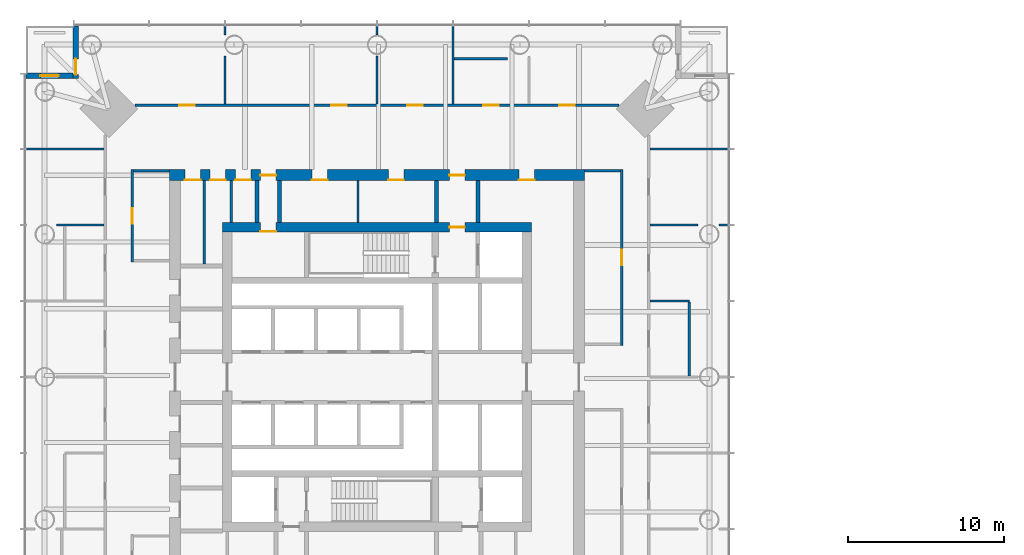
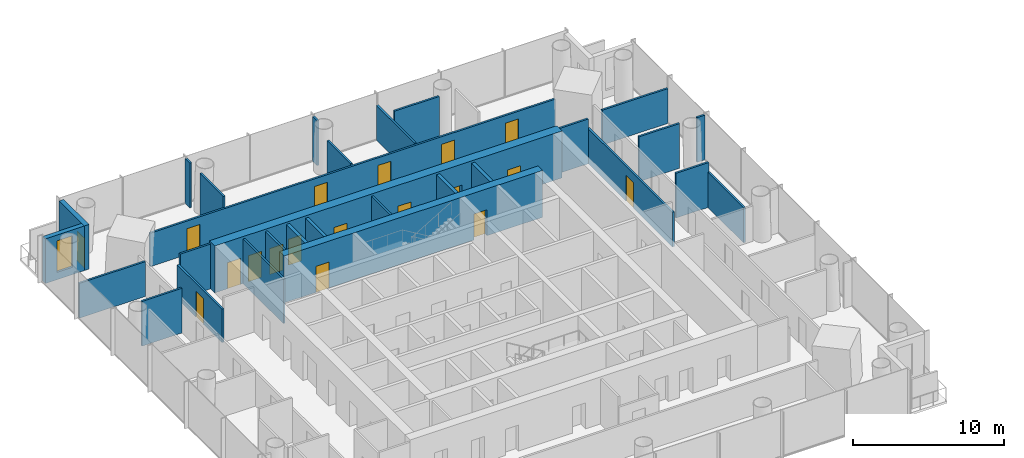
# One storey, part 11 of 18: 29 walls, 18 doors, 1 window, 19 openings.
"""IFC4 building model written with IfcOpenShell, lengths in metres."""

from ifc_helpers import new_model, si_unit, direction, frame, frame_2d, origin, place, context, subcontext, project, spatial, rectangle, extrude, material, layer, layer_set, type_object, element, fill, save


model = new_model("IFC4")

# Units and contexts
model_context = context("Model", 3, precision=1e-05, world=origin(), true_north=direction((0.0, 1.0)))
body_context = subcontext(model_context, "Body", "Model", "MODEL_VIEW")
ifc_project = project(units=[si_unit("LENGTHUNIT", "METRE"), si_unit("AREAUNIT", "SQUARE_METRE"), si_unit("VOLUMEUNIT", "CUBIC_METRE"), si_unit("PLANEANGLEUNIT", "RADIAN"), si_unit("MASSUNIT", "GRAM", prefix="KILO")], contexts=[model_context])

# Site, building, storey
site_placement = place(None, origin())
site = spatial("IfcSite", under=ifc_project, at=site_placement, CompositionType="ELEMENT")
building_placement = place(site_placement, origin())
building = spatial("IfcBuilding", under=site, at=building_placement, Name="Ostroluk Exchange", CompositionType="ELEMENT")
storey_placement = place(building_placement, frame((0.0, 0.0, 104.60009765625)))
storey = spatial("IfcBuildingStorey", under=building, at=storey_placement, Name="L26", CompositionType="ELEMENT", Elevation=104.60009765625)

# Walls
ifc_material_1 = material(Name="Concrete blockwork", Category="masonry")
ifc_layer_1 = layer(ifc_material_1, 0.14990234375)
ifc_layer_set_1 = layer_set([ifc_layer_1], Name="Blockwork plant room wall 150")
wall_type_1 = type_object("IfcWallType", Name="Blockwork plant room wall 150", PredefinedType="SOLIDWALL", material=ifc_layer_set_1)
wall_1_placement = place(storey_placement, frame((33.927978515625, 53.25, 0.0), z_axis=(0.0, 0.0, 1.0), x_axis=(0.0, 1.0, 0.0)))
element("IfcWall", 1, at=wall_1_placement, inside=storey, type_object=wall_type_1, Name="Core room wall", PredefinedType="SOLIDWALL", context=body_context, shape_type="SweptSolid", body=[
    extrude(rectangle(XDim=5.35009765625, YDim=0.14990234375, at=frame_2d((2.675048828125, 0.0))), origin(), (0.0, 0.0, 1.0), 3.619873046875),
])
for number, where, z_axis, x_axis, name in (
    (2, (35.64697265625, 55.89990234375, 0.0), (0.0, 0.0, 1.0), (0.0, 1.0, 0.0), "Core room wall"),
    (3, (43.777587890625, 55.89990234375, 0.0), (0.0, 0.0, 1.0), (0.0, 1.0, 0.0), "Core room wall"),
):
    element("IfcWall", number, at=place(storey_placement, frame(where, z_axis=z_axis, x_axis=x_axis)), inside=storey, type_object=wall_type_1, Name=name, PredefinedType="SOLIDWALL", context=body_context, shape_type="SweptSolid", body=[
        extrude(rectangle(XDim=2.7001953125, YDim=0.14990234375, at=frame_2d((1.35009765625, 0.0))), origin(), (0.0, 0.0, 1.0), 3.619873046875),
    ])
ifc_material_2 = material(Name="Concrete blockwork", Category="masonry")
ifc_layer_2 = layer(ifc_material_2, 0.25)
ifc_layer_set_2 = layer_set([ifc_layer_2], Name="Blockwork stair enclosure wall 250")
wall_type_2 = type_object("IfcWallType", Name="Blockwork stair enclosure wall 250", PredefinedType="SOLIDWALL", material=ifc_layer_set_2)
for number, where, z_axis, x_axis, name in (
    (4, (48.804931640625, 55.89990234375, 0.0), (0.0, 0.0, 1.0), (0.0, 1.0, 0.0), "Fire lobby enclosure wall"),
    (5, (51.47509765625, 55.89990234375, 0.0), (0.0, 0.0, 1.0), (0.0, 1.0, 0.0), "Fire lobby enclosure wall"),
    (6, (37.300048828125, 55.89990234375, 0.0), (0.0, 0.0, 1.0), (0.0, 1.0, 0.0), "Core corridor wall"),
    (7, (38.75, 55.89990234375, 0.0), (0.0, 0.0, 1.0), (0.0, 1.0, 0.0), "Core corridor wall"),
):
    element("IfcWall", number, at=place(storey_placement, frame(where, z_axis=z_axis, x_axis=x_axis)), inside=storey, type_object=wall_type_2, Name=name, PredefinedType="SOLIDWALL", context=body_context, shape_type="SweptSolid", body=[
        extrude(rectangle(XDim=2.7001953125, YDim=0.25, at=frame_2d((1.35009765625, 0.0))), origin(), (0.0, 0.0, 1.0), 3.619873046875),
    ])

# Wall, openings, doors
ifc_material_3 = material(Name="Concrete C50/60", Category="concrete")
ifc_layer_3 = layer(ifc_material_3, 0.60009765625)
ifc_layer_set_3 = layer_set([ifc_layer_3], Name="Core wall 600 C50/60")
wall_type_3 = type_object("IfcWallType", Name="Core wall 600 C50/60", PredefinedType="SHEAR", material=ifc_layer_set_3)
wall_2_placement = place(storey_placement, frame((35.10009765625, 55.60009765625, 0.0), z_axis=(0.0, 0.0, 1.0), x_axis=(1.0, 0.0, 0.0)))
wall_2 = element("IfcWall", 8, at=wall_2_placement, inside=storey, type_object=wall_type_3, Name="T1 core wall N", PredefinedType="SHEAR", context=body_context, shape_type="SweptSolid", body=[
    extrude(rectangle(XDim=19.7998046875, YDim=0.60009765625, at=frame_2d((9.89990234375, 0.0))), origin(), (0.0, 0.0, 1.0), 3.7998046875),
])
opening_1_placement = place(wall_2_placement, frame((14.5400390625, 0.0, 0.0)))
opening_1 = element("IfcOpeningElement", 9, at=opening_1_placement, cuts=wall_2, Name="Opening FD60", PredefinedType="OPENING", context=body_context, shape_type="SweptSolid", body=[
    extrude(rectangle(XDim=1.0, YDim=2.10009765625, at=frame_2d((0.5, 1.050048828125))), frame((0.0, 0.31005859375, 0.0), z_axis=(0.0, -1.0, 0.0), x_axis=(1.0, 0.0, 0.0)), (0.0, 0.0, 1.0), 0.6201171875),
])
opening_2_placement = place(wall_2_placement, frame((2.425048828125, 0.0, 0.0)))
opening_2 = element("IfcOpeningElement", 10, at=opening_2_placement, cuts=wall_2, Name="Opening FD60", PredefinedType="OPENING", context=body_context, shape_type="SweptSolid", body=[
    extrude(rectangle(XDim=1.0, YDim=2.10009765625, at=frame_2d((0.5, 1.050048828125))), frame((0.0, 0.31005859375, 0.0), z_axis=(0.0, -1.0, 0.0), x_axis=(1.0, 0.0, 0.0)), (0.0, 0.0, 1.0), 0.6201171875),
])
ifc_material_4 = material(Name="Steel", Category="steel")
door_type_1 = type_object("IfcDoorType", Name="Fire door EI 60 1000 x 2100", OperationType="SINGLE_SWING_LEFT", PredefinedType="DOOR", material=ifc_material_4)
door_1_placement = place(opening_1_placement, origin())
door_1 = element("IfcDoor", 11, at=door_1_placement, inside=storey, type_object=door_type_1, Name="Firefighting lobby door", OperationType="SINGLE_SWING_RIGHT", OverallHeight=2.10009765625, OverallWidth=1.0, PredefinedType="DOOR", context=body_context, shape_type="SweptSolid", body=[
    extrude(rectangle(XDim=1.0, YDim=2.10009765625, at=frame_2d((0.5, 1.050048828125))), frame((0.0, 0.02490234375, 0.0), z_axis=(0.0, -1.0, 0.0), x_axis=(1.0, 0.0, 0.0)), (0.0, 0.0, 1.0), 0.050048828125),
])
fill(opening_1, door_1)
door_2_placement = place(opening_2_placement, origin())
door_2 = element("IfcDoor", 12, at=door_2_placement, inside=storey, type_object=door_type_1, Name="Tea point door", OperationType="SINGLE_SWING_LEFT", OverallHeight=2.10009765625, OverallWidth=1.0, PredefinedType="DOOR", context=body_context, shape_type="SweptSolid", body=[
    extrude(rectangle(XDim=1.0, YDim=2.10009765625, at=frame_2d((0.5, 1.050048828125))), frame((0.0, -0.23974609375, 0.0), z_axis=(0.0, -1.0, 0.0), x_axis=(1.0, 0.0, 0.0)), (0.0, 0.0, 1.0), 0.050048828125),
])
fill(opening_2, door_2)

ifc_material_5 = material(Name="Concrete C50/60", Category="concrete")
ifc_layer_4 = layer(ifc_material_5, 0.699951171875)
ifc_layer_set_4 = layer_set([ifc_layer_4], Name="Core wall 700 C50/60")
wall_type_4 = type_object("IfcWallType", Name="Core wall 700 C50/60", PredefinedType="SHEAR", material=ifc_layer_set_4)
wall_3_placement = place(storey_placement, frame((31.699951171875, 58.949951171875, 0.0), z_axis=(0.0, 0.0, 1.0), x_axis=(1.0, 0.0, 0.0)))
wall_3 = element("IfcWall", 13, at=wall_3_placement, inside=storey, type_object=wall_type_4, Name="T1 core wall RN", PredefinedType="SHEAR", context=body_context, shape_type="SweptSolid", body=[
    extrude(rectangle(XDim=26.60009765625, YDim=0.699951171875, at=frame_2d((13.300048828125, 0.0))), origin(), (0.0, 0.0, 1.0), 3.7998046875),
])
opening_3_placement = place(wall_3_placement, frame((17.93994140625, 0.0, 0.0)))
opening_3 = element("IfcOpeningElement", 14, at=opening_3_placement, cuts=wall_3, Name="Opening FD60", PredefinedType="OPENING", context=body_context, shape_type="SweptSolid", body=[
    extrude(rectangle(XDim=1.0, YDim=2.10009765625, at=frame_2d((0.5, 1.050048828125))), frame((0.0, 0.35986328125, 0.0), z_axis=(0.0, -1.0, 0.0), x_axis=(1.0, 0.0, 0.0)), (0.0, 0.0, 1.0), 0.719970703125),
])
opening_4_placement = place(wall_3_placement, frame((5.824951171875, 0.0, 0.0)))
opening_4 = element("IfcOpeningElement", 15, at=opening_4_placement, cuts=wall_3, Name="Opening FD60", PredefinedType="OPENING", context=body_context, shape_type="SweptSolid", body=[
    extrude(rectangle(XDim=1.0, YDim=2.10009765625, at=frame_2d((0.5, 1.050048828125))), frame((0.0, 0.35986328125, 0.0), z_axis=(0.0, -1.0, 0.0), x_axis=(1.0, 0.0, 0.0)), (0.0, 0.0, 1.0), 0.719970703125),
])
opening_5_placement = place(wall_3_placement, frame((0.97802734375, 0.0, 0.0)))
opening_5 = element("IfcOpeningElement", 16, at=opening_5_placement, cuts=wall_3, Name="Opening FD60", PredefinedType="OPENING", context=body_context, shape_type="SweptSolid", body=[
    extrude(rectangle(XDim=1.0, YDim=2.10009765625, at=frame_2d((0.5, 1.050048828125))), frame((0.0, 0.35986328125, 0.0), z_axis=(0.0, -1.0, 0.0), x_axis=(1.0, 0.0, 0.0)), (0.0, 0.0, 1.0), 0.719970703125),
])
opening_6_placement = place(wall_3_placement, frame((2.58740234375, 0.0, 0.0)))
opening_6 = element("IfcOpeningElement", 17, at=opening_6_placement, cuts=wall_3, Name="Opening FD60", PredefinedType="OPENING", context=body_context, shape_type="SweptSolid", body=[
    extrude(rectangle(XDim=1.0, YDim=2.10009765625, at=frame_2d((0.5, 1.050048828125))), frame((0.0, 0.35986328125, 0.0), z_axis=(0.0, -1.0, 0.0), x_axis=(1.0, 0.0, 0.0)), (0.0, 0.0, 1.0), 0.719970703125),
])
opening_7_placement = place(wall_3_placement, frame((4.2109375, 0.0, 0.0)))
opening_7 = element("IfcOpeningElement", 18, at=opening_7_placement, cuts=wall_3, Name="Opening FD60", PredefinedType="OPENING", context=body_context, shape_type="SweptSolid", body=[
    extrude(rectangle(XDim=1.0, YDim=2.10009765625, at=frame_2d((0.5, 1.050048828125))), frame((0.0, 0.35986328125, 0.0), z_axis=(0.0, -1.0, 0.0), x_axis=(1.0, 0.0, 0.0)), (0.0, 0.0, 1.0), 0.719970703125),
])
opening_8_placement = place(wall_3_placement, frame((9.126220703125, 0.0, 0.0)))
opening_8 = element("IfcOpeningElement", 19, at=opening_8_placement, cuts=wall_3, Name="Opening FD60", PredefinedType="OPENING", context=body_context, shape_type="SweptSolid", body=[
    extrude(rectangle(XDim=1.0, YDim=2.10009765625, at=frame_2d((0.5, 1.050048828125))), frame((0.0, 0.35986328125, 0.0), z_axis=(0.0, -1.0, 0.0), x_axis=(1.0, 0.0, 0.0)), (0.0, 0.0, 1.0), 0.719970703125),
])
opening_9_placement = place(wall_3_placement, frame((14.02880859375, 0.0, 0.0)))
opening_9 = element("IfcOpeningElement", 20, at=opening_9_placement, cuts=wall_3, Name="Opening FD60", PredefinedType="OPENING", context=body_context, shape_type="SweptSolid", body=[
    extrude(rectangle(XDim=1.0, YDim=2.10009765625, at=frame_2d((0.5, 1.050048828125))), frame((0.0, 0.35986328125, 0.0), z_axis=(0.0, -1.0, 0.0), x_axis=(1.0, 0.0, 0.0)), (0.0, 0.0, 1.0), 0.719970703125),
])
opening_10_placement = place(wall_3_placement, frame((22.39990234375, 0.0, 0.0)))
opening_10 = element("IfcOpeningElement", 21, at=opening_10_placement, cuts=wall_3, Name="Opening FD60", PredefinedType="OPENING", context=body_context, shape_type="SweptSolid", body=[
    extrude(rectangle(XDim=1.0, YDim=2.10009765625, at=frame_2d((0.5, 1.050048828125))), frame((0.0, 0.35986328125, 0.0), z_axis=(0.0, -1.0, 0.0), x_axis=(1.0, 0.0, 0.0)), (0.0, 0.0, 1.0), 0.719970703125),
])
door_3_placement = place(opening_3_placement, origin())
door_3 = element("IfcDoor", 22, at=door_3_placement, inside=storey, type_object=door_type_1, Name="Firefighting lobby door", OperationType="SINGLE_SWING_RIGHT", OverallHeight=2.10009765625, OverallWidth=1.0, PredefinedType="DOOR", context=body_context, shape_type="SweptSolid", body=[
    extrude(rectangle(XDim=1.0, YDim=2.10009765625, at=frame_2d((0.5, 1.050048828125))), frame((0.0, 0.02490234375, 0.0), z_axis=(0.0, -1.0, 0.0), x_axis=(1.0, 0.0, 0.0)), (0.0, 0.0, 1.0), 0.050048828125),
])
fill(opening_3, door_3)
door_4_placement = place(opening_4_placement, origin())
door_4 = element("IfcDoor", 23, at=door_4_placement, inside=storey, type_object=door_type_1, Name="Core corridor door", OperationType="SINGLE_SWING_LEFT", OverallHeight=2.10009765625, OverallWidth=1.0, PredefinedType="DOOR", context=body_context, shape_type="SweptSolid", body=[
    extrude(rectangle(XDim=1.0, YDim=2.10009765625, at=frame_2d((0.5, 1.050048828125))), frame((0.0, 0.02490234375, 0.0), z_axis=(0.0, -1.0, 0.0), x_axis=(1.0, 0.0, 0.0)), (0.0, 0.0, 1.0), 0.050048828125),
])
fill(opening_4, door_4)
door_5_placement = place(opening_5_placement, origin())
door_5 = element("IfcDoor", 24, at=door_5_placement, inside=storey, type_object=door_type_1, Name="Tenant IT room door", OperationType="SINGLE_SWING_LEFT", OverallHeight=2.10009765625, OverallWidth=1.0, PredefinedType="DOOR", context=body_context, shape_type="SweptSolid", body=[
    extrude(rectangle(XDim=1.0, YDim=2.10009765625, at=frame_2d((0.5, 1.050048828125))), frame((0.0, -0.2900390625, 0.0), z_axis=(0.0, -1.0, 0.0), x_axis=(1.0, 0.0, 0.0)), (0.0, 0.0, 1.0), 0.050048828125),
])
fill(opening_5, door_5)
door_6_placement = place(opening_6_placement, origin())
door_6 = element("IfcDoor", 25, at=door_6_placement, inside=storey, type_object=door_type_1, Name="First aid room door", OperationType="SINGLE_SWING_LEFT", OverallHeight=2.10009765625, OverallWidth=1.0, PredefinedType="DOOR", context=body_context, shape_type="SweptSolid", body=[
    extrude(rectangle(XDim=1.0, YDim=2.10009765625, at=frame_2d((0.5, 1.050048828125))), frame((0.0, -0.2900390625, 0.0), z_axis=(0.0, -1.0, 0.0), x_axis=(1.0, 0.0, 0.0)), (0.0, 0.0, 1.0), 0.050048828125),
])
fill(opening_6, door_6)
door_7_placement = place(opening_7_placement, origin())
door_7 = element("IfcDoor", 26, at=door_7_placement, inside=storey, type_object=door_type_1, Name="Cleaner's store door", OperationType="SINGLE_SWING_LEFT", OverallHeight=2.10009765625, OverallWidth=1.0, PredefinedType="DOOR", context=body_context, shape_type="SweptSolid", body=[
    extrude(rectangle(XDim=1.0, YDim=2.10009765625, at=frame_2d((0.5, 1.050048828125))), frame((0.0, -0.2900390625, 0.0), z_axis=(0.0, -1.0, 0.0), x_axis=(1.0, 0.0, 0.0)), (0.0, 0.0, 1.0), 0.050048828125),
])
fill(opening_7, door_7)
door_8_placement = place(opening_8_placement, origin())
door_8 = element("IfcDoor", 27, at=door_8_placement, inside=storey, type_object=door_type_1, Name="Print and post room door", OperationType="SINGLE_SWING_LEFT", OverallHeight=2.10009765625, OverallWidth=1.0, PredefinedType="DOOR", context=body_context, shape_type="SweptSolid", body=[
    extrude(rectangle(XDim=1.0, YDim=2.10009765625, at=frame_2d((0.5, 1.050048828125))), frame((0.0, -0.2900390625, 0.0), z_axis=(0.0, -1.0, 0.0), x_axis=(1.0, 0.0, 0.0)), (0.0, 0.0, 1.0), 0.050048828125),
])
fill(opening_8, door_8)
door_9_placement = place(opening_9_placement, origin())
door_9 = element("IfcDoor", 28, at=door_9_placement, inside=storey, type_object=door_type_1, Name="Archive door", OperationType="SINGLE_SWING_RIGHT", OverallHeight=2.10009765625, OverallWidth=1.0, PredefinedType="DOOR", context=body_context, shape_type="SweptSolid", body=[
    extrude(rectangle(XDim=1.0, YDim=2.10009765625, at=frame_2d((0.5, 1.050048828125))), frame((0.0, -0.2900390625, 0.0), z_axis=(0.0, -1.0, 0.0), x_axis=(1.0, 0.0, 0.0)), (0.0, 0.0, 1.0), 0.050048828125),
])
fill(opening_9, door_9)
door_10_placement = place(opening_10_placement, origin())
door_10 = element("IfcDoor", 29, at=door_10_placement, inside=storey, type_object=door_type_1, Name="First aid room door", OperationType="SINGLE_SWING_RIGHT", OverallHeight=2.10009765625, OverallWidth=1.0, PredefinedType="DOOR", context=body_context, shape_type="SweptSolid", body=[
    extrude(rectangle(XDim=1.0, YDim=2.10009765625, at=frame_2d((0.5, 1.050048828125))), frame((0.0, -0.2900390625, 0.0), z_axis=(0.0, -1.0, 0.0), x_axis=(1.0, 0.0, 0.0)), (0.0, 0.0, 1.0), 0.050048828125),
])
fill(opening_10, door_10)

# Wall, opening, door
ifc_material_6 = material(Name="Limestone", Category="masonry")
ifc_layer_5 = layer(ifc_material_6, 0.35009765625)
ifc_layer_set_5 = layer_set([ifc_layer_5], Name="Limestone facade wall 350")
wall_type_5 = type_object("IfcWallType", Name="Limestone facade wall 350", PredefinedType="SOLIDWALL", material=ifc_layer_set_5)
wall_4_placement = place(storey_placement, frame((25.675048828125, 68.5, 0.0), z_axis=(0.0, 0.0, 1.0), x_axis=(0.0, -1.0, 0.0)))
wall_4 = element("IfcWall", 30, at=wall_4_placement, inside=storey, type_object=wall_type_5, Name="Office tower NW corner wall L26 a", PredefinedType="SOLIDWALL", context=body_context, shape_type="SweptSolid", body=[
    extrude(rectangle(XDim=3.35009765625, YDim=0.35009765625, at=frame_2d((1.675048828125, 0.0))), origin(), (0.0, 0.0, 1.0), 3.619873046875),
])
opening_11_placement = place(wall_4_placement, frame((2.10009765625, 0.0, 0.0)))
opening_11 = element("IfcOpeningElement", 31, at=opening_11_placement, cuts=wall_4, Name="Opening D-B1", PredefinedType="OPENING", context=body_context, shape_type="SweptSolid", body=[
    extrude(rectangle(XDim=1.0, YDim=2.39990234375, at=frame_2d((0.5, 1.199951171875))), frame((0.0, 0.18505859375, 0.0), z_axis=(0.0, -1.0, 0.0), x_axis=(1.0, 0.0, 0.0)), (0.0, 0.0, 1.0), 0.3701171875),
])
ifc_material_7 = material(Name="Bronze framed glazed door", Category="aluminium")
door_type_2 = type_object("IfcDoorType", Name="Balcony door 1000 x 2400", OperationType="SINGLE_SWING_LEFT", PredefinedType="DOOR", material=ifc_material_7)
door_11_placement = place(opening_11_placement, origin())
door_11 = element("IfcDoor", 32, at=door_11_placement, inside=storey, type_object=door_type_2, Name="Office tower NW balcony door L26", OperationType="SINGLE_SWING_RIGHT", OverallHeight=2.39990234375, OverallWidth=1.0, PredefinedType="DOOR", context=body_context, shape_type="SweptSolid", body=[
    extrude(rectangle(XDim=1.0, YDim=2.39990234375, at=frame_2d((0.5, 1.199951171875))), frame((0.0, 0.02490234375, 0.0), z_axis=(0.0, -1.0, 0.0), x_axis=(1.0, 0.0, 0.0)), (0.0, 0.0, 1.0), 0.050048828125),
])
fill(opening_11, door_11)

# Wall, opening, window
wall_5_placement = place(storey_placement, frame((25.5, 65.324951171875, 0.0), z_axis=(0.0, 0.0, 1.0), x_axis=(-1.0, 0.0, 0.0)))
wall_5 = element("IfcWall", 33, at=wall_5_placement, inside=storey, type_object=wall_type_5, Name="Office tower NW corner wall L26 b", PredefinedType="SOLIDWALL", context=body_context, shape_type="SweptSolid", body=[
    extrude(rectangle(XDim=3.0, YDim=0.35009765625, at=frame_2d((1.5, 0.0))), origin(), (0.0, 0.0, 1.0), 3.619873046875),
])
opening_12_placement = place(wall_5_placement, frame((0.89990234375, 0.0, 0.60009765625)))
opening_12 = element("IfcOpeningElement", 34, at=opening_12_placement, cuts=wall_5, Name="Opening WN-L1", PredefinedType="OPENING", context=body_context, shape_type="SweptSolid", body=[
    extrude(rectangle(XDim=1.199951171875, YDim=2.550048828125, at=frame_2d((0.60009765625, 1.27490234375))), frame((0.0, 0.18505859375, 0.0), z_axis=(0.0, -1.0, 0.0), x_axis=(1.0, 0.0, 0.0)), (0.0, 0.0, 1.0), 0.3701171875),
])
ifc_material_8 = material(Name="Laminated clear glass", Category="glass")
window_type = type_object("IfcWindowType", Name="Lancet window 1200 x 2550", PartitioningType="SINGLE_PANEL", PredefinedType="WINDOW", material=ifc_material_8)
window_placement = place(opening_12_placement, origin())
window = element("IfcWindow", 35, at=window_placement, inside=storey, type_object=window_type, Name="Office tower NW lancet window L26", OverallHeight=2.550048828125, OverallWidth=1.199951171875, PartitioningType="SINGLE_PANEL", PredefinedType="WINDOW", context=body_context, shape_type="SweptSolid", body=[
    extrude(rectangle(XDim=1.199951171875, YDim=2.550048828125, at=frame_2d((0.60009765625, 1.27490234375))), frame((0.0, 0.030029296875, 0.0), z_axis=(0.0, -1.0, 0.0), x_axis=(1.0, 0.0, 0.0)), (0.0, 0.0, 1.0), 0.06005859375),
])
fill(opening_12, window)

# Wall, opening, door
ifc_material_9 = material(Name="Gypsum plasterboard partition", Category="gypsum")
ifc_layer_6 = layer(ifc_material_9, 0.14990234375)
ifc_layer_set_6 = layer_set([ifc_layer_6], Name="Plasterboard partition 150")
wall_type_6 = type_object("IfcWallType", Name="Plasterboard partition 150", PredefinedType="PARTITIONING", material=ifc_layer_set_6)
wall_6_placement = place(storey_placement, frame((60.699951171875, 48.02490234375, 0.0), z_axis=(0.0, 0.0, 1.0), x_axis=(0.0, 1.0, 0.0)))
wall_6 = element("IfcWall", 36, at=wall_6_placement, inside=storey, type_object=wall_type_6, Name="Partition", PredefinedType="PARTITIONING", context=body_context, shape_type="SweptSolid", body=[
    extrude(rectangle(XDim=11.275146484375, YDim=0.14990234375, at=frame_2d((5.6376953125, 0.0))), origin(), (0.0, 0.0, 1.0), 2.805908203125),
])
opening_13_placement = place(wall_6_placement, frame((5.137451171875, 0.0, 0.0)))
opening_13 = element("IfcOpeningElement", 37, at=opening_13_placement, cuts=wall_6, Name="Opening D-03", PredefinedType="OPENING", context=body_context, shape_type="SweptSolid", body=[
    extrude(rectangle(XDim=1.0, YDim=2.10009765625, at=frame_2d((0.5, 1.050048828125))), frame((0.0, 0.0849609375, 0.0), z_axis=(0.0, -1.0, 0.0), x_axis=(1.0, 0.0, 0.0)), (0.0, 0.0, 1.0), 0.169921875),
])
ifc_material_10 = material(Name="Timber", Category="wood")
door_type_3 = type_object("IfcDoorType", Name="Internal door 1000 x 2100", OperationType="SINGLE_SWING_LEFT", PredefinedType="DOOR", material=ifc_material_10)
door_12_placement = place(opening_13_placement, origin())
door_12 = element("IfcDoor", 38, at=door_12_placement, inside=storey, type_object=door_type_3, Name="Staff room door", OperationType="SINGLE_SWING_RIGHT", OverallHeight=2.10009765625, OverallWidth=1.0, PredefinedType="DOOR", context=body_context, shape_type="SweptSolid", body=[
    extrude(rectangle(XDim=1.0, YDim=2.10009765625, at=frame_2d((0.5, 1.050048828125))), frame((0.0, 0.02490234375, 0.0), z_axis=(0.0, -1.0, 0.0), x_axis=(1.0, 0.0, 0.0)), (0.0, 0.0, 1.0), 0.050048828125),
])
fill(opening_13, door_12)

# Wall
wall_7_placement = place(storey_placement, frame((58.300048828125, 59.22509765625, 0.0), z_axis=(0.0, 0.0, 1.0), x_axis=(1.0, 0.0, 0.0)))
element("IfcWall", 39, at=wall_7_placement, inside=storey, type_object=wall_type_6, Name="Partition", PredefinedType="PARTITIONING", context=body_context, shape_type="SweptSolid", body=[
    extrude(rectangle(XDim=2.324951171875, YDim=0.14990234375, at=frame_2d((1.16259765625, 0.0))), origin(), (0.0, 0.0, 1.0), 3.619873046875),
])

# Wall, opening, door
wall_8_placement = place(storey_placement, frame((29.300048828125, 59.300048828125, 0.0), z_axis=(0.0, 0.0, 1.0), x_axis=(0.0, -1.0, 0.0)))
wall_8 = element("IfcWall", 40, at=wall_8_placement, inside=storey, type_object=wall_type_6, Name="Partition", PredefinedType="PARTITIONING", context=body_context, shape_type="SweptSolid", body=[
    extrude(rectangle(XDim=5.925048828125, YDim=0.14990234375, at=frame_2d((2.96240234375, 0.0))), origin(), (0.0, 0.0, 1.0), 2.719970703125),
])
opening_14_placement = place(wall_8_placement, frame((2.46240234375, 0.0, 0.0)))
opening_14 = element("IfcOpeningElement", 41, at=opening_14_placement, cuts=wall_8, Name="Opening D-03", PredefinedType="OPENING", context=body_context, shape_type="SweptSolid", body=[
    extrude(rectangle(XDim=1.0, YDim=2.10009765625, at=frame_2d((0.5, 1.050048828125))), frame((0.0, 0.0849609375, 0.0), z_axis=(0.0, -1.0, 0.0), x_axis=(1.0, 0.0, 0.0)), (0.0, 0.0, 1.0), 0.169921875),
])
door_13_placement = place(opening_14_placement, origin())
door_13 = element("IfcDoor", 42, at=door_13_placement, inside=storey, type_object=door_type_3, Name="Staff room door", OperationType="SINGLE_SWING_RIGHT", OverallHeight=2.10009765625, OverallWidth=1.0, PredefinedType="DOOR", context=body_context, shape_type="SweptSolid", body=[
    extrude(rectangle(XDim=1.0, YDim=2.10009765625, at=frame_2d((0.5, 1.050048828125))), frame((0.0, 0.02490234375, 0.0), z_axis=(0.0, -1.0, 0.0), x_axis=(1.0, 0.0, 0.0)), (0.0, 0.0, 1.0), 0.050048828125),
])
fill(opening_14, door_13)

# Walls
wall_9_placement = place(storey_placement, frame((31.699951171875, 59.22509765625, 0.0), z_axis=(0.0, 0.0, 1.0), x_axis=(-1.0, 0.0, 0.0)))
element("IfcWall", 43, at=wall_9_placement, inside=storey, type_object=wall_type_6, Name="Partition", PredefinedType="PARTITIONING", context=body_context, shape_type="SweptSolid", body=[
    extrude(rectangle(XDim=2.324951171875, YDim=0.14990234375, at=frame_2d((1.16259765625, 0.0))), origin(), (0.0, 0.0, 1.0), 3.619873046875),
])
wall_10_placement = place(storey_placement, frame((65.02490234375, 46.074951171875, 0.0), z_axis=(0.0, 0.0, 1.0), x_axis=(0.0, 1.0, 0.0)))
element("IfcWall", 44, at=wall_10_placement, inside=storey, type_object=wall_type_6, Name="Partition", PredefinedType="PARTITIONING", context=body_context, shape_type="SweptSolid", body=[
    extrude(rectangle(XDim=4.72509765625, YDim=0.14990234375, at=frame_2d((2.362548828125, 0.0))), origin(), (0.0, 0.0, 1.0), 2.85791015625),
])
wall_11_placement = place(storey_placement, frame((62.5, 50.875, 0.0), z_axis=(0.0, 0.0, 1.0), x_axis=(1.0, 0.0, 0.0)))
element("IfcWall", 45, at=wall_11_placement, inside=storey, type_object=wall_type_6, Name="Partition", PredefinedType="PARTITIONING", context=body_context, shape_type="SweptSolid", body=[
    extrude(rectangle(XDim=2.52490234375, YDim=0.14990234375, at=frame_2d((1.262451171875, 0.0))), origin(), (0.0, 0.0, 1.0), 3.619873046875),
])
wall_12_placement = place(storey_placement, frame((62.5, 55.75, 0.0), z_axis=(0.0, 0.0, 1.0), x_axis=(1.0, 0.0, 0.0)))
element("IfcWall", 46, at=wall_12_placement, inside=storey, type_object=wall_type_6, Name="Partition", PredefinedType="PARTITIONING", context=body_context, shape_type="SweptSolid", body=[
    extrude(rectangle(XDim=3.09765625, YDim=0.14990234375, at=frame_2d((1.548828125, 0.0))), origin(), (0.0, 0.0, 1.0), 3.619873046875),
])
wall_13_placement = place(storey_placement, frame((66.93798828125, 55.75, 0.0), z_axis=(0.0, 0.0, 1.0), x_axis=(1.0, 0.0, 0.0)))
element("IfcWall", 47, at=wall_13_placement, inside=storey, type_object=wall_type_6, Name="Partition", PredefinedType="PARTITIONING", context=body_context, shape_type="SweptSolid", body=[
    extrude(rectangle(XDim=0.60205078125, YDim=0.14990234375, at=frame_2d((0.301025390625, 0.0))), origin(), (0.0, 0.0, 1.0), 3.619873046875),
])
wall_14_placement = place(storey_placement, frame((62.5, 60.625, 0.0), z_axis=(0.0, 0.0, 1.0), x_axis=(1.0, 0.0, 0.0)))
element("IfcWall", 48, at=wall_14_placement, inside=storey, type_object=wall_type_6, Name="Partition", PredefinedType="PARTITIONING", context=body_context, shape_type="SweptSolid", body=[
    extrude(rectangle(XDim=5.0400390625, YDim=0.14990234375, at=frame_2d((2.52001953125, 0.0))), origin(), (0.0, 0.0, 1.0), 2.81982421875),
])
wall_15_placement = place(storey_placement, frame((53.370361328125, 66.425048828125, 0.0), z_axis=(0.0, 0.0, 1.0), x_axis=(-1.0, 0.0, 0.0)))
element("IfcWall", 49, at=wall_15_placement, inside=storey, type_object=wall_type_6, Name="Partition", PredefinedType="PARTITIONING", context=body_context, shape_type="SweptSolid", body=[
    extrude(rectangle(XDim=3.42041015625, YDim=0.14990234375, at=frame_2d((1.710205078125, 0.0))), origin(), (0.0, 0.0, 1.0), 3.619873046875),
])

# Wall, openings, doors
wall_16_placement = place(storey_placement, frame((60.511474609375, 63.425048828125, 0.0), z_axis=(0.0, 0.0, 1.0), x_axis=(-1.0, 0.0, 0.0)))
wall_16 = element("IfcWall", 50, at=wall_16_placement, inside=storey, type_object=wall_type_6, Name="Partition", PredefinedType="PARTITIONING", context=body_context, shape_type="SweptSolid", body=[
    extrude(rectangle(XDim=31.02294921875, YDim=0.14990234375, at=frame_2d((15.511474609375, 0.0))), origin(), (0.0, 0.0, 1.0), 2.719970703125),
])
opening_15_placement = place(wall_16_placement, frame((2.823974609375, 0.0, 0.0)))
opening_15 = element("IfcOpeningElement", 51, at=opening_15_placement, cuts=wall_16, Name="Opening D-03", PredefinedType="OPENING", context=body_context, shape_type="SweptSolid", body=[
    extrude(rectangle(XDim=1.0, YDim=2.10009765625, at=frame_2d((0.5, 1.050048828125))), frame((0.0, 0.0849609375, 0.0), z_axis=(0.0, -1.0, 0.0), x_axis=(1.0, 0.0, 0.0)), (0.0, 0.0, 1.0), 0.169921875),
])
opening_16_placement = place(wall_16_placement, frame((7.698974609375, 0.0, 0.0)))
opening_16 = element("IfcOpeningElement", 52, at=opening_16_placement, cuts=wall_16, Name="Opening D-03", PredefinedType="OPENING", context=body_context, shape_type="SweptSolid", body=[
    extrude(rectangle(XDim=1.0, YDim=2.10009765625, at=frame_2d((0.5, 1.050048828125))), frame((0.0, 0.0849609375, 0.0), z_axis=(0.0, -1.0, 0.0), x_axis=(1.0, 0.0, 0.0)), (0.0, 0.0, 1.0), 0.169921875),
])
opening_17_placement = place(wall_16_placement, frame((12.573974609375, 0.0, 0.0)))
opening_17 = element("IfcOpeningElement", 53, at=opening_17_placement, cuts=wall_16, Name="Opening D-03", PredefinedType="OPENING", context=body_context, shape_type="SweptSolid", body=[
    extrude(rectangle(XDim=1.0, YDim=2.10009765625, at=frame_2d((0.5, 1.050048828125))), frame((0.0, 0.0849609375, 0.0), z_axis=(0.0, -1.0, 0.0), x_axis=(1.0, 0.0, 0.0)), (0.0, 0.0, 1.0), 0.169921875),
])
opening_18_placement = place(wall_16_placement, frame((17.448974609375, 0.0, 0.0)))
opening_18 = element("IfcOpeningElement", 54, at=opening_18_placement, cuts=wall_16, Name="Opening D-03", PredefinedType="OPENING", context=body_context, shape_type="SweptSolid", body=[
    extrude(rectangle(XDim=1.0, YDim=2.10009765625, at=frame_2d((0.5, 1.050048828125))), frame((0.0, 0.0849609375, 0.0), z_axis=(0.0, -1.0, 0.0), x_axis=(1.0, 0.0, 0.0)), (0.0, 0.0, 1.0), 0.169921875),
])
opening_19_placement = place(wall_16_placement, frame((27.198974609375, 0.0, 0.0)))
opening_19 = element("IfcOpeningElement", 55, at=opening_19_placement, cuts=wall_16, Name="Opening D-03", PredefinedType="OPENING", context=body_context, shape_type="SweptSolid", body=[
    extrude(rectangle(XDim=1.0, YDim=2.10009765625, at=frame_2d((0.5, 1.050048828125))), frame((0.0, 0.0849609375, 0.0), z_axis=(0.0, -1.0, 0.0), x_axis=(1.0, 0.0, 0.0)), (0.0, 0.0, 1.0), 0.169921875),
])
door_14_placement = place(opening_15_placement, origin())
door_14 = element("IfcDoor", 56, at=door_14_placement, inside=storey, type_object=door_type_3, Name="Office suite door", OperationType="SINGLE_SWING_LEFT", OverallHeight=2.10009765625, OverallWidth=1.0, PredefinedType="DOOR", context=body_context, shape_type="SweptSolid", body=[
    extrude(rectangle(XDim=1.0, YDim=2.10009765625, at=frame_2d((0.5, 1.050048828125))), frame((0.0, 0.02490234375, 0.0), z_axis=(0.0, -1.0, 0.0), x_axis=(1.0, 0.0, 0.0)), (0.0, 0.0, 1.0), 0.050048828125),
])
fill(opening_15, door_14)
door_15_placement = place(opening_16_placement, origin())
door_15 = element("IfcDoor", 57, at=door_15_placement, inside=storey, type_object=door_type_3, Name="Focus room door", OperationType="SINGLE_SWING_LEFT", OverallHeight=2.10009765625, OverallWidth=1.0, PredefinedType="DOOR", context=body_context, shape_type="SweptSolid", body=[
    extrude(rectangle(XDim=1.0, YDim=2.10009765625, at=frame_2d((0.5, 1.050048828125))), frame((0.0, 0.02490234375, 0.0), z_axis=(0.0, -1.0, 0.0), x_axis=(1.0, 0.0, 0.0)), (0.0, 0.0, 1.0), 0.050048828125),
])
fill(opening_16, door_15)
door_16_placement = place(opening_17_placement, origin())
door_16 = element("IfcDoor", 58, at=door_16_placement, inside=storey, type_object=door_type_3, Name="Office door", OperationType="SINGLE_SWING_LEFT", OverallHeight=2.10009765625, OverallWidth=1.0, PredefinedType="DOOR", context=body_context, shape_type="SweptSolid", body=[
    extrude(rectangle(XDim=1.0, YDim=2.10009765625, at=frame_2d((0.5, 1.050048828125))), frame((0.0, 0.02490234375, 0.0), z_axis=(0.0, -1.0, 0.0), x_axis=(1.0, 0.0, 0.0)), (0.0, 0.0, 1.0), 0.050048828125),
])
fill(opening_17, door_16)
door_17_placement = place(opening_18_placement, origin())
door_17 = element("IfcDoor", 59, at=door_17_placement, inside=storey, type_object=door_type_3, Name="Office door", OperationType="SINGLE_SWING_RIGHT", OverallHeight=2.10009765625, OverallWidth=1.0, PredefinedType="DOOR", context=body_context, shape_type="SweptSolid", body=[
    extrude(rectangle(XDim=1.0, YDim=2.10009765625, at=frame_2d((0.5, 1.050048828125))), frame((0.0, 0.02490234375, 0.0), z_axis=(0.0, -1.0, 0.0), x_axis=(1.0, 0.0, 0.0)), (0.0, 0.0, 1.0), 0.050048828125),
])
fill(opening_18, door_17)
door_18_placement = place(opening_19_placement, origin())
door_18 = element("IfcDoor", 60, at=door_18_placement, inside=storey, type_object=door_type_3, Name="Office door", OperationType="SINGLE_SWING_RIGHT", OverallHeight=2.10009765625, OverallWidth=1.0, PredefinedType="DOOR", context=body_context, shape_type="SweptSolid", body=[
    extrude(rectangle(XDim=1.0, YDim=2.10009765625, at=frame_2d((0.5, 1.050048828125))), frame((0.0, 0.02490234375, 0.0), z_axis=(0.0, -1.0, 0.0), x_axis=(1.0, 0.0, 0.0)), (0.0, 0.0, 1.0), 0.050048828125),
])
fill(opening_19, door_18)

# Walls
wall_17_placement = place(storey_placement, frame((49.875, 63.5, 0.0), z_axis=(0.0, 0.0, 1.0), x_axis=(0.0, 1.0, 0.0)))
element("IfcWall", 61, at=wall_17_placement, inside=storey, type_object=wall_type_6, Name="Partition", PredefinedType="PARTITIONING", context=body_context, shape_type="SweptSolid", body=[
    extrude(rectangle(XDim=5.0400390625, YDim=0.14990234375, at=frame_2d((2.52001953125, 0.0))), origin(), (0.0, 0.0, 1.0), 2.81982421875),
])
wall_18_placement = place(storey_placement, frame((45.0, 63.5, 0.0), z_axis=(0.0, 0.0, 1.0), x_axis=(0.0, 1.0, 0.0)))
element("IfcWall", 62, at=wall_18_placement, inside=storey, type_object=wall_type_6, Name="Partition", PredefinedType="PARTITIONING", context=body_context, shape_type="SweptSolid", body=[
    extrude(rectangle(XDim=3.09765625, YDim=0.14990234375, at=frame_2d((1.548828125, 0.0))), origin(), (0.0, 0.0, 1.0), 2.85791015625),
])
wall_19_placement = place(storey_placement, frame((45.0, 67.93798828125, 0.0), z_axis=(0.0, 0.0, 1.0), x_axis=(0.0, 1.0, 0.0)))
element("IfcWall", 63, at=wall_19_placement, inside=storey, type_object=wall_type_6, Name="Partition", PredefinedType="PARTITIONING", context=body_context, shape_type="SweptSolid", body=[
    extrude(rectangle(XDim=0.60205078125, YDim=0.14990234375, at=frame_2d((0.301025390625, 0.0))), origin(), (0.0, 0.0, 1.0), 3.619873046875),
])
wall_20_placement = place(storey_placement, frame((35.25, 63.5, 0.0), z_axis=(0.0, 0.0, 1.0), x_axis=(0.0, 1.0, 0.0)))
element("IfcWall", 64, at=wall_20_placement, inside=storey, type_object=wall_type_6, Name="Partition", PredefinedType="PARTITIONING", context=body_context, shape_type="SweptSolid", body=[
    extrude(rectangle(XDim=3.09765625, YDim=0.14990234375, at=frame_2d((1.548828125, 0.0))), origin(), (0.0, 0.0, 1.0), 3.619873046875),
])
wall_21_placement = place(storey_placement, frame((35.25, 67.93798828125, 0.0), z_axis=(0.0, 0.0, 1.0), x_axis=(0.0, 1.0, 0.0)))
element("IfcWall", 65, at=wall_21_placement, inside=storey, type_object=wall_type_6, Name="Partition", PredefinedType="PARTITIONING", context=body_context, shape_type="SweptSolid", body=[
    extrude(rectangle(XDim=0.60205078125, YDim=0.14990234375, at=frame_2d((0.301025390625, 0.0))), origin(), (0.0, 0.0, 1.0), 3.619873046875),
])
wall_22_placement = place(storey_placement, frame((27.5, 60.625, 0.0), z_axis=(0.0, 0.0, 1.0), x_axis=(-1.0, 0.0, 0.0)))
element("IfcWall", 66, at=wall_22_placement, inside=storey, type_object=wall_type_6, Name="Partition", PredefinedType="PARTITIONING", context=body_context, shape_type="SweptSolid", body=[
    extrude(rectangle(XDim=5.0400390625, YDim=0.14990234375, at=frame_2d((2.52001953125, 0.0))), origin(), (0.0, 0.0, 1.0), 2.81982421875),
])
wall_23_placement = place(storey_placement, frame((27.5, 55.75, 0.0), z_axis=(0.0, 0.0, 1.0), x_axis=(-1.0, 0.0, 0.0)))
element("IfcWall", 67, at=wall_23_placement, inside=storey, type_object=wall_type_6, Name="Partition", PredefinedType="PARTITIONING", context=body_context, shape_type="SweptSolid", body=[
    extrude(rectangle(XDim=3.06494140625, YDim=0.14990234375, at=frame_2d((1.532470703125, 0.0))), origin(), (0.0, 0.0, 1.0), 3.619873046875),
])

save(model, "model.ifc")
